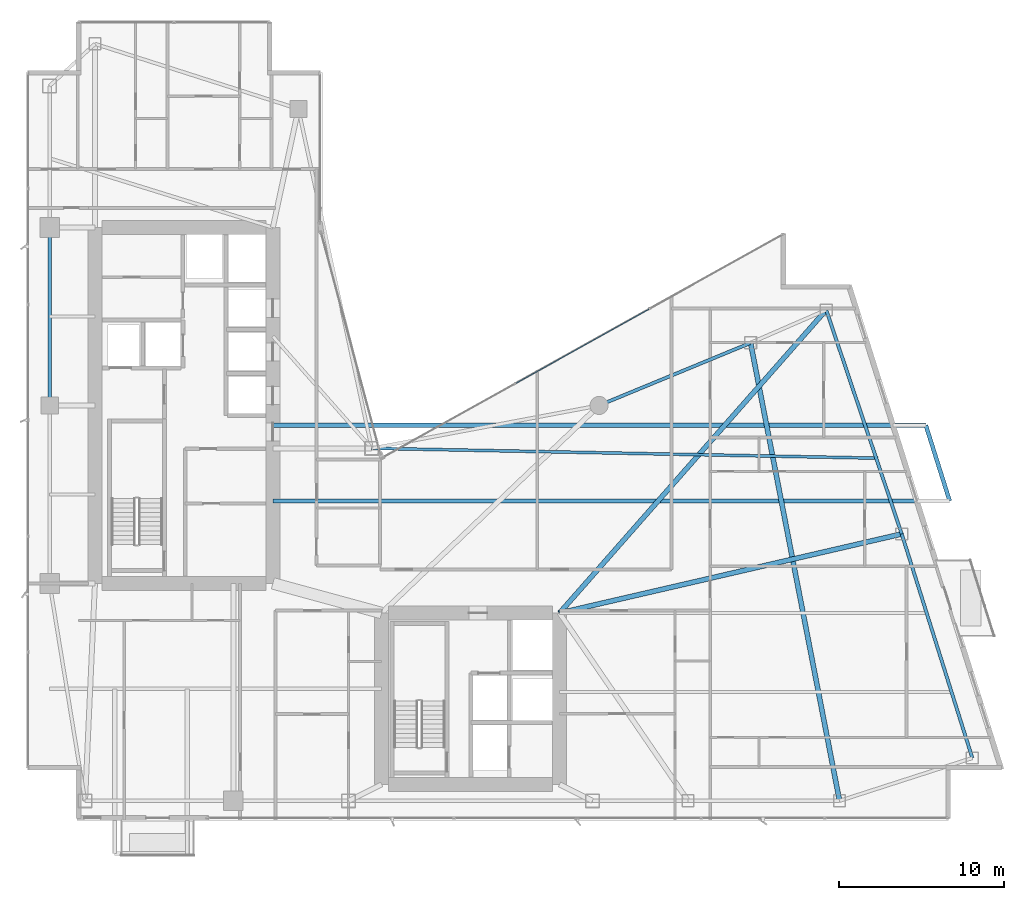
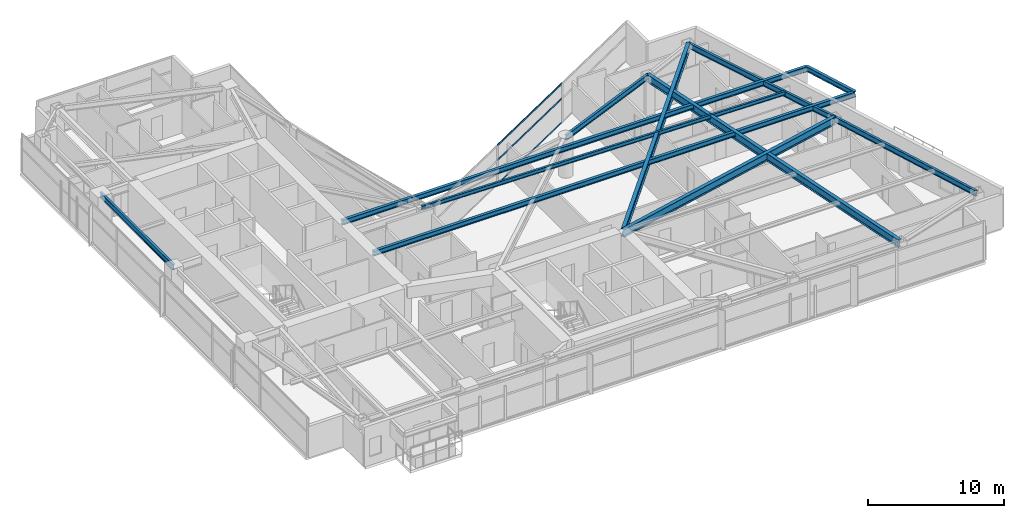
# One storey, part 15 of 28: 11 beams, 3 members, 1 element without a shape of its own.
"""IFC4 building model written with IfcOpenShell, lengths in metres."""

from ifc_helpers import new_model, si_unit, direction, frame, origin, origin_2d, place, context, subcontext, project, spatial, hollow_rectangle, i_section, extrude, material, layer, layer_set, material_profile, profile_set, type_object, element, aggregate, save


model = new_model("IFC4")

# Units and contexts
model_context = context("Model", 3, precision=1e-05, world=origin(), true_north=direction((0.0, 1.0)))
body_context = subcontext(model_context, "Body", "Model", "MODEL_VIEW")
ifc_project = project(units=[si_unit("LENGTHUNIT", "METRE"), si_unit("AREAUNIT", "SQUARE_METRE"), si_unit("VOLUMEUNIT", "CUBIC_METRE"), si_unit("PLANEANGLEUNIT", "RADIAN"), si_unit("MASSUNIT", "GRAM", prefix="KILO")], contexts=[model_context])

# Site, building, storey
site_placement = place(None, origin())
site = spatial("IfcSite", under=ifc_project, at=site_placement, CompositionType="ELEMENT")
building_placement = place(site_placement, origin())
building = spatial("IfcBuilding", under=site, at=building_placement, Name="Calvorn Quay Hotel", CompositionType="ELEMENT")
storey_placement = place(building_placement, frame((0.0, 0.0, 131.60009765625)))
storey = spatial("IfcBuildingStorey", under=building, at=storey_placement, Name="L32", CompositionType="ELEMENT", Elevation=131.60009765625)

# Beams
ifc_material_1 = material(Name="Steel Q355B", Category="steel")
ifc_material_profile_1 = material_profile(ifc_material_1, i_section(OverallWidth=0.25, OverallDepth=0.449951171875, WebThickness=0.011962890625, FlangeThickness=0.01611328125, FilletRadius=0.01611328125, at=origin_2d()), Name="HN450x250x12x16")
ifc_profile_set_1 = profile_set([ifc_material_profile_1], Name="Steel Q355B")
beam_type_1 = type_object("IfcBeamType", Name="BM-CANT-BALC", PredefinedType="BEAM", material=ifc_profile_set_1)
beam_1_placement = place(storey_placement, frame((15.0, 21.800048828125, 3.31494140625), z_axis=(1.0, 0.0, 0.0), x_axis=(0.0, 1.0, 0.0)))
element("IfcBeam", 1, at=beam_1_placement, inside=storey, type_object=beam_type_1, Name="Cantilever Balcony Beam BCB-L33-1A", PredefinedType="BEAM", context=body_context, shape_type="SweptSolid", body=[
    extrude(i_section(OverallWidth=0.25, OverallDepth=0.449951171875, WebThickness=0.011962890625, FlangeThickness=0.01611328125, FilletRadius=0.01611328125, at=origin_2d()), origin(), (0.0, 0.0, 1.0), 41.0859375),
])
beam_2_placement = place(storey_placement, frame((15.0, 26.39990234375, 3.31494140625), z_axis=(1.0, 0.0, 0.0), x_axis=(0.0, 1.0, 0.0)))
element("IfcBeam", 2, at=beam_2_placement, inside=storey, type_object=beam_type_1, Name="Cantilever Balcony Beam BCB-L33-1B", PredefinedType="BEAM", context=body_context, shape_type="SweptSolid", body=[
    extrude(i_section(OverallWidth=0.25, OverallDepth=0.449951171875, WebThickness=0.011962890625, FlangeThickness=0.01611328125, FilletRadius=0.01611328125, at=origin_2d()), origin(), (0.0, 0.0, 1.0), 39.636962890625),
])
beam_3_placement = place(storey_placement, frame((56.0859375, 21.800048828125, 3.31494140625), z_axis=(-0.300450487966, 0.953797412599, 0.0), x_axis=(-0.953797412599, -0.300450487966, 0.0)))
element("IfcBeam", 3, at=beam_3_placement, inside=storey, type_object=beam_type_1, Name="Beam BCBO-L33-1", PredefinedType="BEAM", context=body_context, shape_type="SweptSolid", body=[
    extrude(i_section(OverallWidth=0.25, OverallDepth=0.449951171875, WebThickness=0.011962890625, FlangeThickness=0.01611328125, FilletRadius=0.01611328125, at=origin_2d()), origin(), (0.0, 0.0, 1.0), 4.82275390625),
])
ifc_material_2 = material(Name="Steel Q390GJC", Category="steel")
ifc_material_profile_2 = material_profile(ifc_material_2, i_section(OverallWidth=0.300048828125, OverallDepth=0.699951171875, WebThickness=0.012939453125, FlangeThickness=0.02392578125, FilletRadius=0.02392578125, at=origin_2d()), Name="HN700x300x13x24")
ifc_profile_set_2 = profile_set([ifc_material_profile_2], Name="Steel Q390GJC")
beam_type_2 = type_object("IfcBeamType", Name="BM-GIRD-MAIN", PredefinedType="BEAM", material=ifc_profile_set_2)
beam_4_placement = place(storey_placement, frame((32.39990234375, 15.0, 3.18994140625), z_axis=(0.974334045812, 0.225107012711, 0.0), x_axis=(-0.225107012711, 0.974334045812, 0.0)))
element("IfcBeam", 4, at=beam_4_placement, inside=storey, type_object=beam_type_2, Name="Beam BG-L32-E2", PredefinedType="BEAM", context=body_context, shape_type="SweptSolid", body=[
    extrude(i_section(OverallWidth=0.300048828125, OverallDepth=0.699951171875, WebThickness=0.012939453125, FlangeThickness=0.02392578125, FilletRadius=0.02392578125, at=origin_2d()), origin(), (0.0, 0.0, 1.0), 21.323486328125),
])
beam_5_placement = place(storey_placement, frame((32.39990234375, 15.0, 3.18994140625), z_axis=(0.660610604248, 0.750728732336, 0.0), x_axis=(-0.750728732336, 0.660610604248, 0.0)))
element("IfcBeam", 5, at=beam_5_placement, inside=storey, type_object=beam_type_2, Name="Beam BG-L32-E3", PredefinedType="BEAM", context=body_context, shape_type="SweptSolid", body=[
    extrude(i_section(OverallWidth=0.300048828125, OverallDepth=0.699951171875, WebThickness=0.012939453125, FlangeThickness=0.02392578125, FilletRadius=0.02392578125, at=origin_2d()), origin(), (0.0, 0.0, 1.0), 24.50927734375),
])
beam_6_placement = place(storey_placement, frame((49.39990234375, 3.60009765625, 3.18994140625), z_axis=(-0.190678596862, 0.981652521363, 0.0), x_axis=(-0.981652521363, -0.190678596862, 0.0)))
element("IfcBeam", 6, at=beam_6_placement, inside=storey, type_object=beam_type_2, Name="Beam BG-L32-E5", PredefinedType="BEAM", context=body_context, shape_type="SweptSolid", body=[
    extrude(i_section(OverallWidth=0.300048828125, OverallDepth=0.699951171875, WebThickness=0.012939453125, FlangeThickness=0.02392578125, FilletRadius=0.02392578125, at=origin_2d()), origin(), (0.0, 0.0, 1.0), 28.3193359375),
])
ifc_material_3 = material(Name="Steel Q355B", Category="steel")
ifc_material_profile_3 = material_profile(ifc_material_3, i_section(OverallWidth=0.175048828125, OverallDepth=0.35009765625, WebThickness=0.007080078125, FlangeThickness=0.010986328125, FilletRadius=0.013916015625, at=origin_2d()), Name="HN350x175x7x11")
ifc_profile_set_3 = profile_set([ifc_material_profile_3], Name="Steel Q355B")
beam_type_3 = type_object("IfcBeamType", Name="BM-JOIST-SEC", PredefinedType="JOIST", material=ifc_profile_set_3)
beam_7_placement = place(storey_placement, frame((21.0, 25.0, 3.364990234375), z_axis=(0.999809345134, -0.019526222968, 0.0), x_axis=(0.019526222968, 0.999809345134, 0.0)))
element("IfcBeam", 7, at=beam_7_placement, inside=storey, type_object=beam_type_3, Name="Beam BJ-L32-E3", PredefinedType="JOIST", context=body_context, shape_type="SweptSolid", body=[
    extrude(i_section(OverallWidth=0.175048828125, OverallDepth=0.35009765625, WebThickness=0.007080078125, FlangeThickness=0.010986328125, FilletRadius=0.013916015625, at=origin_2d()), origin(), (0.0, 0.0, 1.0), 30.73291015625),
])
ifc_material_4 = material(Name="Steel Q355B", Category="steel")
ifc_material_profile_4 = material_profile(ifc_material_4, i_section(OverallWidth=0.199951171875, OverallDepth=0.5, WebThickness=0.010009765625, FlangeThickness=0.01611328125, FilletRadius=0.01611328125, at=origin_2d()), Name="HN500x200x10x16")
ifc_profile_set_4 = profile_set([ifc_material_profile_4], Name="Steel Q355B")
beam_type_4 = type_object("IfcBeamType", Name="BM-SPANDREL-Z1", PredefinedType="SPANDREL", material=ifc_profile_set_4)
beam_8_placement = place(storey_placement, frame((1.449951171875, 27.60009765625, 3.289794921875), z_axis=(0.0, 1.0, 0.0), x_axis=(-1.0, 0.0, 0.0)))
element("IfcBeam", 8, at=beam_8_placement, inside=storey, type_object=beam_type_4, Name="Beam BSP-L32-W3", PredefinedType="SPANDREL", context=body_context, shape_type="SweptSolid", body=[
    extrude(i_section(OverallWidth=0.199951171875, OverallDepth=0.5, WebThickness=0.010009765625, FlangeThickness=0.01611328125, FilletRadius=0.01611328125, at=origin_2d()), origin(), (0.0, 0.0, 1.0), 10.7998046875),
])
beam_9_placement = place(storey_placement, frame((57.4609375, 6.199951171875, 3.289794921875), z_axis=(-0.300502802767, 0.953780931624, 0.0), x_axis=(-0.953780931624, -0.300502802767, 0.0)))
element("IfcBeam", 9, at=beam_9_placement, inside=storey, type_object=beam_type_4, Name="Beam BSP-L32-E1", PredefinedType="SPANDREL", context=body_context, shape_type="SweptSolid", body=[
    extrude(i_section(OverallWidth=0.199951171875, OverallDepth=0.5, WebThickness=0.010009765625, FlangeThickness=0.01611328125, FilletRadius=0.01611328125, at=origin_2d()), origin(), (0.0, 0.0, 1.0), 14.259033203125),
])
beam_10_placement = place(storey_placement, frame((53.176025390625, 19.800048828125, 3.289794921875), z_axis=(-0.319466515944, 0.947597564998, 0.0), x_axis=(-0.947597564998, -0.319466515944, 0.0)))
element("IfcBeam", 10, at=beam_10_placement, inside=storey, type_object=beam_type_4, Name="Beam BSP-L32-E2", PredefinedType="SPANDREL", context=body_context, shape_type="SweptSolid", body=[
    extrude(i_section(OverallWidth=0.199951171875, OverallDepth=0.5, WebThickness=0.010009765625, FlangeThickness=0.01611328125, FilletRadius=0.01611328125, at=origin_2d()), origin(), (0.0, 0.0, 1.0), 14.35205078125),
])
beam_11_placement = place(storey_placement, frame((44.0, 31.39990234375, 3.289794921875), z_axis=(-0.92426763497, -0.381745123017, 0.0), x_axis=(0.381745123017, -0.92426763497, 0.0)))
element("IfcBeam", 11, at=beam_11_placement, inside=storey, type_object=beam_type_4, Name="Beam BSP-L32-E4", PredefinedType="SPANDREL", context=body_context, shape_type="SweptSolid", body=[
    extrude(i_section(OverallWidth=0.199951171875, OverallDepth=0.5, WebThickness=0.010009765625, FlangeThickness=0.01611328125, FilletRadius=0.01611328125, at=origin_2d()), origin(), (0.0, 0.0, 1.0), 9.953857421875),
])

# Curtain wall, members
ifc_material_5 = material(Name="Pale Anodised Aluminium and Low-E Glass", Category="aluminium")
ifc_layer = layer(ifc_material_5, 0.219970703125)
ifc_layer_set = layer_set([ifc_layer], Name="CW-SYS-Z2")
curtain_wall_type = type_object("IfcCurtainWallType", Name="CW-SYS-Z2", PredefinedType="NOTDEFINED", material=ifc_layer_set)
curtain_wall_placement = place(storey_placement, origin())
curtain_wall = element("IfcCurtainWall", 12, at=curtain_wall_placement, inside=storey, type_object=curtain_wall_type, Name="Inner Court Curtain Wall L32-NE1", PredefinedType="NOTDEFINED")
ifc_material_6 = material(Name="Pale Anodised Aluminium 6063-T6", Category="aluminium")
ifc_material_profile_5 = material_profile(ifc_material_6, hollow_rectangle(XDim=0.06005859375, YDim=0.14990234375, WallThickness=0.00341796875, at=origin_2d()), Name="ALU-T150x60x3.5")
ifc_profile_set_5 = profile_set([ifc_material_profile_5], Name="Pale Anodised Aluminium 6063-T6")
member_type = type_object("IfcMemberType", Name="CW-SYS-Z2-TRN", PredefinedType="USERDEFINED", material=ifc_profile_set_5)
member_1_placement = place(storey_placement, frame((37.840576171875, 33.4521484375, 0.02978515625), z_axis=(-0.873483012802, -0.486854625474, 0.0), x_axis=(0.486854625474, -0.873483012802, 0.0)))
member_1 = element("IfcMember", 13, at=member_1_placement, type_object=member_type, Name="CW-L32-NE1 transom 2.1", ObjectType="TRANSOM", PredefinedType="USERDEFINED", context=body_context, shape_type="SweptSolid", body=[
    extrude(hollow_rectangle(XDim=0.06005859375, YDim=0.14990234375, WallThickness=0.00341796875, at=origin_2d()), origin(), (0.0, 0.0, 1.0), 9.25146484375),
])
member_2_placement = place(storey_placement, frame((37.840576171875, 33.4521484375, 2.199951171875), z_axis=(-0.873483012802, -0.486854625474, 0.0), x_axis=(0.486854625474, -0.873483012802, 0.0)))
member_2 = element("IfcMember", 14, at=member_2_placement, type_object=member_type, Name="CW-L32-NE1 transom 2.2", ObjectType="TRANSOM", PredefinedType="USERDEFINED", context=body_context, shape_type="SweptSolid", body=[
    extrude(hollow_rectangle(XDim=0.06005859375, YDim=0.14990234375, WallThickness=0.00341796875, at=origin_2d()), origin(), (0.0, 0.0, 1.0), 9.25146484375),
])
member_3_placement = place(storey_placement, frame((37.840576171875, 33.4521484375, 3.52978515625), z_axis=(-0.873483012802, -0.486854625474, 0.0), x_axis=(0.486854625474, -0.873483012802, 0.0)))
member_3 = element("IfcMember", 15, at=member_3_placement, type_object=member_type, Name="CW-L32-NE1 transom 2.3", ObjectType="TRANSOM", PredefinedType="USERDEFINED", context=body_context, shape_type="SweptSolid", body=[
    extrude(hollow_rectangle(XDim=0.06005859375, YDim=0.14990234375, WallThickness=0.00341796875, at=origin_2d()), origin(), (0.0, 0.0, 1.0), 9.25146484375),
])
aggregate(curtain_wall, [member_1, member_2, member_3])

save(model, "model.ifc")
